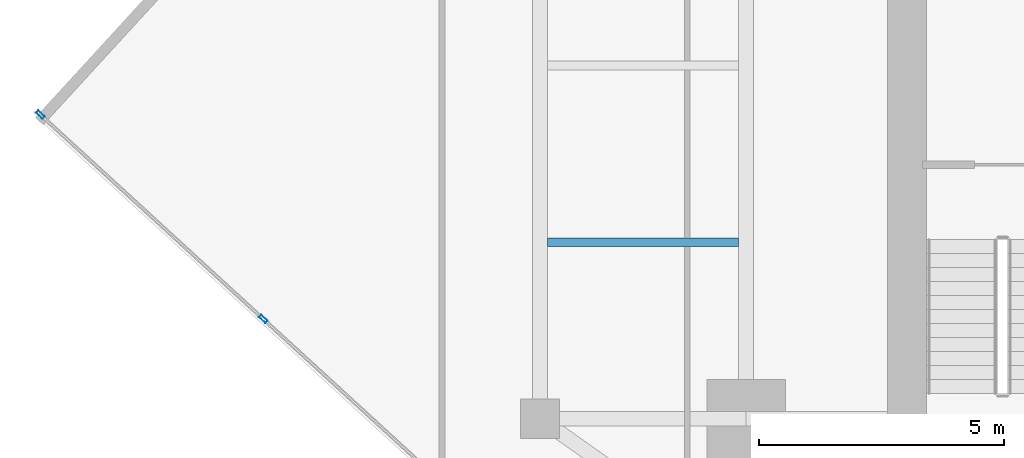
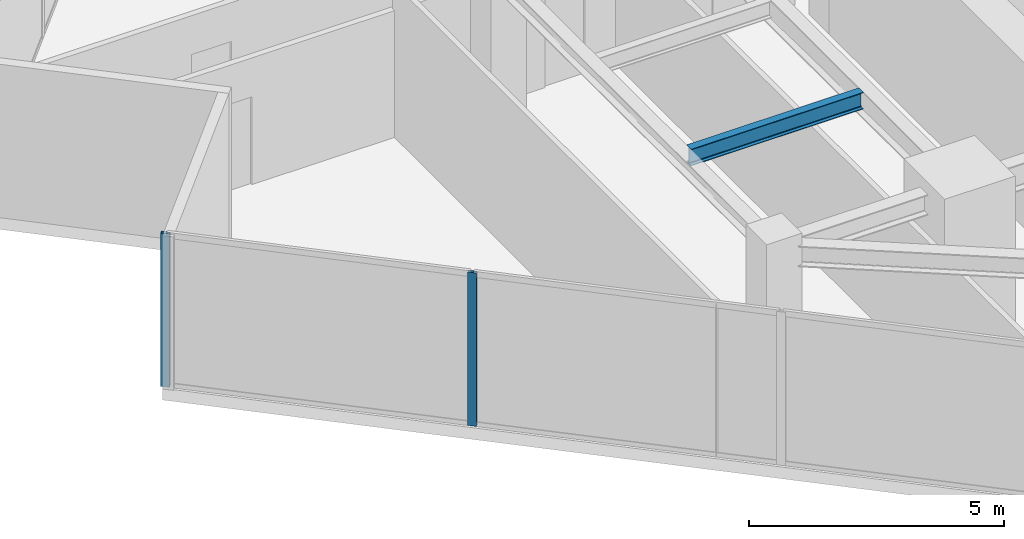
# One storey, part 6 of 26: 2 members, 1 beam, 1 element without a shape of its own.
"""IFC4 building model written with IfcOpenShell, lengths in metres."""

from ifc_helpers import new_model, si_unit, direction, frame, origin, origin_2d, place, context, subcontext, project, spatial, hollow_rectangle, i_section, extrude, source, transform, mapped, material, material_profile, profile_set, type_object, type_shapes, element, aggregate, save


model = new_model("IFC4")

# Units and contexts
model_context = context("Model", 3, precision=1e-05, world=origin(), true_north=direction((0.0, 1.0)))
body_context = subcontext(model_context, "Body", "Model", "MODEL_VIEW")
ifc_project = project(units=[si_unit("LENGTHUNIT", "METRE"), si_unit("AREAUNIT", "SQUARE_METRE"), si_unit("VOLUMEUNIT", "CUBIC_METRE"), si_unit("PLANEANGLEUNIT", "RADIAN"), si_unit("MASSUNIT", "GRAM", prefix="KILO")], contexts=[model_context])

# Site, building, storey
site_placement = place(None, origin())
site = spatial("IfcSite", under=ifc_project, at=site_placement, CompositionType="ELEMENT")
building_placement = place(site_placement, origin())
building = spatial("IfcBuilding", under=site, at=building_placement, Name="Krantzveldt Concourse Tower", CompositionType="ELEMENT")
storey_placement = place(building_placement, frame((0.0, 0.0, 227.050048828125)))
storey = spatial("IfcBuildingStorey", under=building, at=storey_placement, Name="L55", CompositionType="ELEMENT", Elevation=227.050048828125)

# Beam
ifc_material_1 = material(Name="Steel S355JR", Category="steel")
ifc_material_profile_1 = material_profile(ifc_material_1, i_section(OverallWidth=0.179931640625, OverallDepth=0.39990234375, WebThickness=0.008544921875, FlangeThickness=0.013427734375, FilletRadius=0.02099609375, at=origin_2d()), Name="Steel S355JR", Category="steel")
ifc_profile_set_1 = profile_set([ifc_material_profile_1], Name="Steel S355JR - IPE 400")
beam_type = type_object("IfcBeamType", Name="BM-J-IPE400", PredefinedType="JOIST", material=ifc_profile_set_1)
shared_shape_1 = source(origin(), body_context, "Body", "SweptSolid", [
    extrude(i_section(OverallWidth=0.179931640625, OverallDepth=0.39990234375, WebThickness=0.008544921875, FlangeThickness=0.013427734375, FilletRadius=0.02099609375, at=origin_2d()), origin(), (0.0, 0.0, 1.0), 3.900146484375),
])
type_shapes(beam_type, [shared_shape_1])
beam_placement = place(storey_placement, frame((21.14990234375, 19.5, 3.469970703125), z_axis=(1.0, 0.0, 0.0), x_axis=(0.0, 1.0, 0.0)))
element("IfcBeam", 1, at=beam_placement, inside=storey, type_object=beam_type, Name="L55 Secondary Floor Joist JW-1", PredefinedType="JOIST", context=body_context, shape_type="MappedRepresentation", body=[
    mapped(shared_shape_1, transform((0.0, 0.0, 0.0), x_axis=(1.0, 0.0, 0.0), y_axis=(0.0, 1.0, 0.0), z_axis=(0.0, 0.0, 1.0), scale=1.0)),
])

# Curtain wall, members
ifc_material_2 = material(Name="Anodised aluminium 6063-T6", Category="aluminium")
curtain_wall_type = type_object("IfcCurtainWallType", Name="CW3", PredefinedType="USERDEFINED", material=ifc_material_2)
curtain_wall_placement = place(storey_placement, origin())
curtain_wall = element("IfcCurtainWall", 2, at=curtain_wall_placement, inside=storey, type_object=curtain_wall_type, Name="CW-L55-F04", ObjectType="UNITISED CURTAIN WALL", PredefinedType="USERDEFINED")
ifc_material_profile_2 = material_profile(ifc_material_2, hollow_rectangle(XDim=0.070068359375, YDim=0.179931640625, WallThickness=0.0048828125, at=origin_2d()), Name="Anodised aluminium 6063-T6", Category="aluminium")
ifc_profile_set_2 = profile_set([ifc_material_profile_2], Name="Anodised aluminium 6063-T6 - ALU-MULL 180x70x5")
member_type = type_object("IfcMemberType", Name="CW-MUL-180", PredefinedType="MULLION", material=ifc_profile_set_2)
shared_shape_2 = source(origin(), body_context, "Body", "SweptSolid", [
    extrude(hollow_rectangle(XDim=0.070068359375, YDim=0.179931640625, WallThickness=0.0048828125, at=origin_2d()), origin(), (0.0, 0.0, 1.0), 3.669921875),
])
type_shapes(member_type, [shared_shape_2])
member_1_placement = place(storey_placement, frame((10.809326171875, 22.10009765625, 0.0), z_axis=(0.0, 0.0, 1.0), x_axis=(0.675590053651, 0.737277477893, 0.0)))
member_1 = element("IfcMember", 3, at=member_1_placement, type_object=member_type, Name="CW-Z34 mullion 1", PredefinedType="MULLION", context=body_context, shape_type="MappedRepresentation", body=[
    mapped(shared_shape_2, transform((0.0, 0.0, 0.0), x_axis=(1.0, 0.0, 0.0), y_axis=(0.0, 1.0, 0.0), z_axis=(0.0, 0.0, 1.0), scale=1.0)),
])
member_2_placement = place(storey_placement, frame((15.3544921875, 17.93505859375, 0.0), z_axis=(0.0, 0.0, 1.0), x_axis=(0.675590053651, 0.737277477893, 0.0)))
member_2 = element("IfcMember", 4, at=member_2_placement, type_object=member_type, Name="CW-Z34 mullion 2", PredefinedType="MULLION", context=body_context, shape_type="MappedRepresentation", body=[
    mapped(shared_shape_2, transform((0.0, 0.0, 0.0), x_axis=(1.0, 0.0, 0.0), y_axis=(0.0, 1.0, 0.0), z_axis=(0.0, 0.0, 1.0), scale=1.0)),
])
aggregate(curtain_wall, [member_1, member_2])

save(model, "model.ifc")
